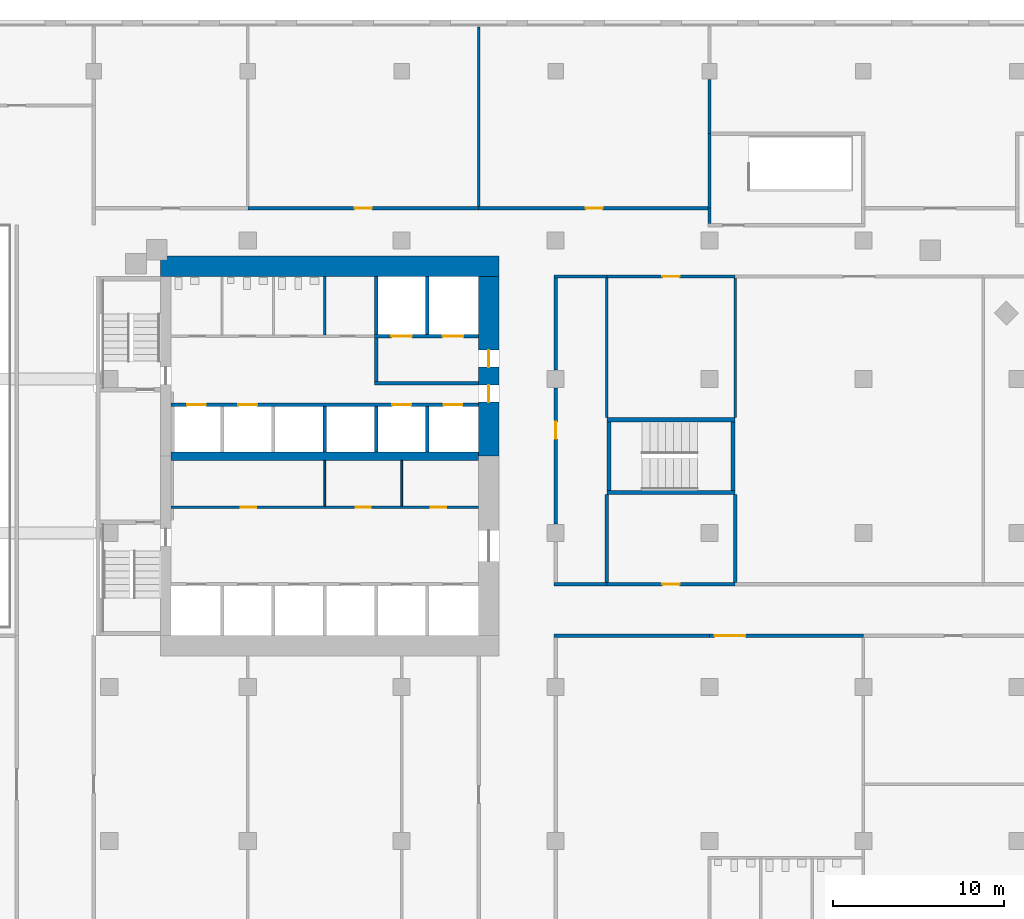
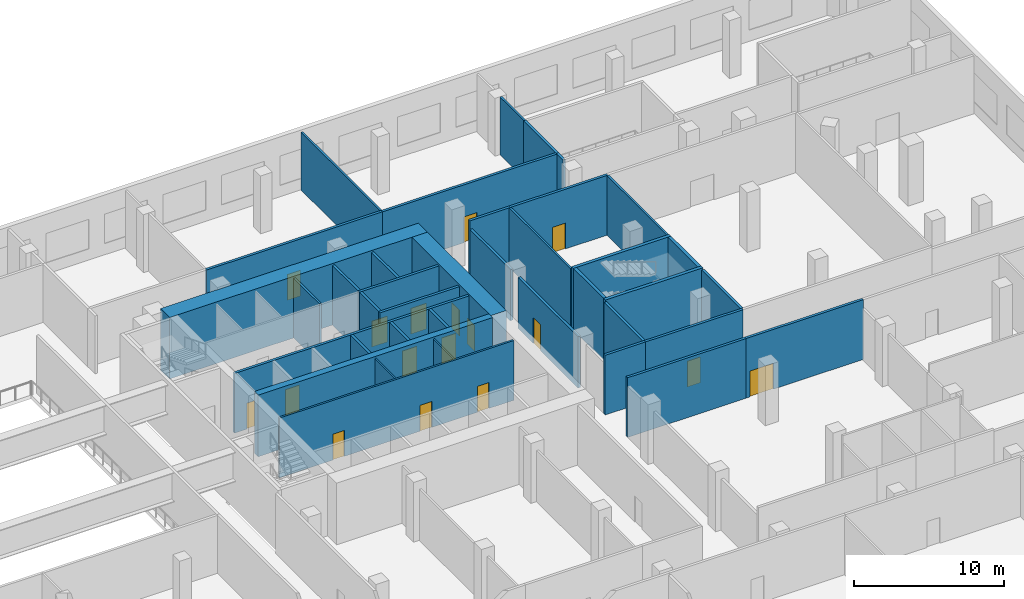
# One storey, part 11 of 20: 38 walls, 17 doors, 17 openings.
"""IFC4 building model written with IfcOpenShell, lengths in metres."""

import ifcopenshell
import ifcopenshell.guid

model = None  # the IFC model being written
_history = None  # IfcOwnerHistory: only IFC2X3 demands one
_inside = {}  # id of a spatial element -> (the spatial element, [elements in it])
_under = {}  # id of a project, library or spatial element -> (it, [spatial elements below it])
_declared = {}  # id of a project -> (the project, [libraries it declares])
_typed = {}  # id of a type object -> (the type object, [elements of that type])
_made_of = {}  # id of a material, layer set ... -> (it, [elements and type objects made of it])


def new_model(schema):
    """Start an empty IFC model of exactly this schema.

    Asked for "IFC4X3", IfcOpenShell would pick the latest addendum, in which some entities
    have other attributes; the version numbers below select the first issue.
    IFC2X3 requires an IfcOwnerHistory on every rooted entity: one is made here for all.
    """
    global model, _history
    if schema == "IFC4X3":
        model = ifcopenshell.file(schema_version=(4, 3, 0, 0))
    else:
        model = ifcopenshell.file(schema=schema)
    _inside.clear()
    _under.clear()
    _declared.clear()
    _typed.clear()
    _made_of.clear()
    _history = None
    if model.schema == "IFC2X3":
        org = make("IfcOrganization", Name="unknown")
        user = make(
            "IfcPersonAndOrganization",
            ThePerson=make("IfcPerson", FamilyName="unknown"),
            TheOrganization=org,
        )
        app = make(
            "IfcApplication",
            ApplicationDeveloper=org,
            Version="unknown",
            ApplicationFullName="unknown",
            ApplicationIdentifier="unknown",
        )
        _history = make(
            "IfcOwnerHistory",
            OwningUser=user,
            OwningApplication=app,
            ChangeAction="ADDED",
            CreationDate=0,
        )
    return model


def make(cls, **values):
    """One entity of the class cls with the attributes given. An attribute that is None is left unset."""
    return model.create_entity(
        cls, **{name: value for name, value in values.items() if value is not None}
    )


def rooted(cls, **values):
    """An entity with a GlobalId (a new one), such as an element, a storey or a relation."""
    return make(cls, GlobalId=ifcopenshell.guid.new(), OwnerHistory=_history, **values)


def si_unit(unit_type, name, prefix=None):
    """IfcSIUnit, for example si_unit("LENGTHUNIT", "METRE", prefix="MILLI")."""
    return make("IfcSIUnit", UnitType=unit_type, Prefix=prefix, Name=name)


def assignment(units):
    """IfcUnitAssignment: the units of a project."""
    return None if units is None else make("IfcUnitAssignment", Units=units)


def point(xyz):
    """IfcCartesianPoint."""
    return None if xyz is None else make("IfcCartesianPoint", Coordinates=xyz)


def direction(xyz):
    """IfcDirection."""
    return None if xyz is None else make("IfcDirection", DirectionRatios=xyz)


def frame(location, z_axis=None, x_axis=None):
    """IfcAxis2Placement3D, a coordinate frame: its origin and axes. An axis left out is left unset."""
    return make(
        "IfcAxis2Placement3D",
        Location=point(location),
        Axis=direction(z_axis),
        RefDirection=direction(x_axis),
    )


def frame_2d(location, x_axis=None):
    """IfcAxis2Placement2D, a coordinate frame in the plane: its origin and x axis."""
    return make(
        "IfcAxis2Placement2D", Location=point(location), RefDirection=direction(x_axis)
    )


def origin():
    """The frame at (0, 0, 0) with its axes left unset."""
    return frame((0.0, 0.0, 0.0))


def place(relative_to, where):
    """IfcLocalPlacement: puts the frame where relative to a parent placement (None: the world)."""
    return make(
        "IfcLocalPlacement", PlacementRelTo=relative_to, RelativePlacement=where
    )


def context(
    kind, dimensions, precision=None, world=None, true_north=None, identifier=None
):
    """IfcGeometricRepresentationContext, for example the 3D "Model" context."""
    return make(
        "IfcGeometricRepresentationContext",
        ContextIdentifier=identifier,
        ContextType=kind,
        CoordinateSpaceDimension=dimensions,
        Precision=precision,
        WorldCoordinateSystem=world,
        TrueNorth=true_north,
    )


def subcontext(parent, identifier, kind, view, scale=None):
    """IfcGeometricRepresentationSubContext, for example "Body" below "Model"."""
    return make(
        "IfcGeometricRepresentationSubContext",
        ContextIdentifier=identifier,
        ContextType=kind,
        ParentContext=parent,
        TargetScale=scale,
        TargetView=view,
    )


def project(units=None, contexts=None):
    """IfcProject with its units and contexts."""
    return rooted(
        "IfcProject",
        Name="project",
        RepresentationContexts=contexts,
        UnitsInContext=assignment(units),
    )


def spatial(cls, under=None, at=None, **own):
    """A site, building, storey or space (cls), placed at a placement, below another one or the project."""
    s = rooted(cls, ObjectPlacement=at, **own)
    if under is not None:
        _under.setdefault(under.id(), (under, []))[1].append(s)
    return s


def profile(cls, at=None, kind="AREA", **sizes):
    """A parametric profile (cls). Its sizes go by their IFC names, for example OverallWidth=200.0."""
    return make(cls, ProfileType=kind, Position=at, **sizes)


def rectangle(**sizes):
    """IfcRectangleProfileDef."""
    return profile("IfcRectangleProfileDef", **sizes)


def extrude(swept, where, along, depth):
    """IfcExtrudedAreaSolid: the profile swept, set in the frame where, extruded along a direction by depth."""
    return make(
        "IfcExtrudedAreaSolid",
        SweptArea=swept,
        Position=where,
        ExtrudedDirection=direction(along),
        Depth=depth,
    )


def shape(context_of_items, identifier, shape_type, items):
    """IfcShapeRepresentation: the items that make up one representation, for example the "Body"."""
    return make(
        "IfcShapeRepresentation",
        ContextOfItems=context_of_items,
        RepresentationIdentifier=identifier,
        RepresentationType=shape_type,
        Items=items,
    )


def material(Name=None, Category=None):
    """IfcMaterial."""
    return make("IfcMaterial", Name=Name, Category=Category)


def layer(
    of_material, thickness, ventilated=None, Name=None, Category=None, Priority=None
):
    """IfcMaterialLayer: one layer of a wall or slab, of a material (None: an air gap)."""
    return make(
        "IfcMaterialLayer",
        Material=of_material,
        LayerThickness=thickness,
        IsVentilated=ventilated,
        Name=Name,
        Category=Category,
        Priority=Priority,
    )


def layer_set(layers, Name=None):
    """IfcMaterialLayerSet."""
    return make("IfcMaterialLayerSet", MaterialLayers=layers, LayerSetName=Name)


def made_of(thing, what):
    """Note that an element or type object is made of a material, layer set ...; save() writes the relation."""
    if what is not None:
        _made_of.setdefault(what.id(), (what, []))[1].append(thing)
    return thing


def type_object(cls, material=None, **own):
    """A type object (cls), such as IfcWallType, which elements share."""
    return made_of(rooted(cls, **own), material)


def element(
    cls,
    number,
    at=None,
    inside=None,
    cuts=None,
    type_object=None,
    material=None,
    context=None,
    identifier="Body",
    shape_type=None,
    held_by="IfcProductDefinitionShape",
    body=None,
    shapes=None,
    **own,
):
    """One element of the class cls, such as IfcWall. Its Tag is "e" and its number.

    at: its placement. inside: the storey or other place that contains it. cuts: it is an
    opening in that element (IfcRelVoidsElement). A single representation is given by context,
    identifier, shape_type and body (its items); several are given by shapes. held_by: the class
    of the entity that holds the representations. save() writes the other relations.
    """
    e = rooted(cls, Tag="e%d" % number, ObjectPlacement=at, **own)
    if body is not None:
        shapes = [shape(context, identifier, shape_type, body)]
    if shapes is not None:
        e.Representation = make(held_by, Representations=shapes)
    if inside is not None:
        _inside.setdefault(inside.id(), (inside, []))[1].append(e)
    if cuts is not None:
        rooted(
            "IfcRelVoidsElement", RelatingBuildingElement=cuts, RelatedOpeningElement=e
        )
    if type_object is not None:
        _typed.setdefault(type_object.id(), (type_object, []))[1].append(e)
    return made_of(e, material)


def fill(opening, filler):
    """IfcRelFillsElement: the door or window that sits in an opening."""
    return rooted(
        "IfcRelFillsElement",
        RelatingOpeningElement=opening,
        RelatedBuildingElement=filler,
    )


def aggregate(whole, parts):
    """IfcRelAggregates: a whole, such as a stair, and the parts it consists of."""
    return rooted("IfcRelAggregates", RelatingObject=whole, RelatedObjects=parts)


def save(model, path):
    """Write the relations noted so far, then the file.

    IfcRelAggregates (storeys below a building ...), IfcRelContainedInSpatialStructure (elements
    in a storey), IfcRelDefinesByType, IfcRelAssociatesMaterial and IfcRelDeclares: one each for
    every whole, place, type object, material and project.
    """
    for whole, parts in _under.values():
        aggregate(whole, parts)
    for where, things in _inside.values():
        rooted(
            "IfcRelContainedInSpatialStructure",
            RelatedElements=things,
            RelatingStructure=where,
        )
    for kind, things in _typed.values():
        rooted("IfcRelDefinesByType", RelatedObjects=things, RelatingType=kind)
    for what, things in _made_of.values():
        rooted("IfcRelAssociatesMaterial", RelatedObjects=things, RelatingMaterial=what)
    for by, libraries in _declared.values():
        rooted("IfcRelDeclares", RelatingContext=by, RelatedDefinitions=libraries)
    model.write(path)


model = new_model("IFC4")

# Units and contexts
model_context = context("Model", 3, precision=1e-05, world=origin(), true_north=direction((0.0, 1.0)))
body_context = subcontext(model_context, "Body", "Model", "MODEL_VIEW")
ifc_project = project(units=[si_unit("LENGTHUNIT", "METRE"), si_unit("AREAUNIT", "SQUARE_METRE"), si_unit("VOLUMEUNIT", "CUBIC_METRE"), si_unit("PLANEANGLEUNIT", "RADIAN"), si_unit("MASSUNIT", "GRAM", prefix="KILO")], contexts=[model_context])

# Site, building, storey
site_placement = place(None, origin())
site = spatial("IfcSite", under=ifc_project, at=site_placement, CompositionType="ELEMENT")
building_placement = place(site_placement, origin())
building = spatial("IfcBuilding", under=site, at=building_placement, Name="Cinnabar Reach Civic Tower", CompositionType="ELEMENT")
storey_placement = place(building_placement, frame((0.0, 0.0, 21.0)))
storey = spatial("IfcBuildingStorey", under=building, at=storey_placement, Name="L04", CompositionType="ELEMENT", Elevation=21.0)

# Wall
ifc_material_1 = material(Name="Concrete C70", Category="concrete")
ifc_layer_1 = layer(ifc_material_1, 1.2)
ifc_layer_set_1 = layer_set([ifc_layer_1], Name="Core wall 1200 EI 180")
wall_type_1 = type_object("IfcWallType", Name="Core wall 1200 EI 180", PredefinedType="SOLIDWALL", material=ifc_layer_set_1)
wall_1_placement = place(storey_placement, frame((23.7, 42.6, 0.0), z_axis=(0.0, 0.0, 1.0), x_axis=(-1.0, 0.0, 0.0)))
element("IfcWall", 1, at=wall_1_placement, inside=storey, type_object=wall_type_1, Name="Core wall T1 L04 N", PredefinedType="SOLIDWALL", context=body_context, shape_type="SweptSolid", body=[
    extrude(rectangle(XDim=19.8, YDim=1.2, at=frame_2d((9.9, 0.0))), origin(), (0.0, 0.0, 1.0), 5.0),
])

# Wall, openings, doors
wall_2_placement = place(storey_placement, frame((23.1, 31.5, 0.0), z_axis=(0.0, 0.0, 1.0), x_axis=(0.0, 1.0, 0.0)))
wall_2 = element("IfcWall", 2, at=wall_2_placement, inside=storey, type_object=wall_type_1, Name="Core wall T1 L04 E2", PredefinedType="SOLIDWALL", context=body_context, shape_type="SweptSolid", body=[
    extrude(rectangle(XDim=10.5, YDim=1.2, at=frame_2d((5.25, 0.0))), origin(), (0.0, 0.0, 1.0), 5.0),
])
opening_1_placement = place(wall_2_placement, frame((3.15, 0.0, 0.0)))
opening_1 = element("IfcOpeningElement", 3, at=opening_1_placement, cuts=wall_2, Name="Opening D3181", PredefinedType="OPENING", context=body_context, shape_type="SweptSolid", body=[
    extrude(rectangle(XDim=1.0, YDim=2.1, at=frame_2d((0.5, 1.05))), frame((0.0, 0.61, 0.0), z_axis=(0.0, -1.0, 0.0), x_axis=(1.0, 0.0, 0.0)), (0.0, 0.0, 1.0), 1.22),
])
opening_2_placement = place(wall_2_placement, frame((5.2, 0.0, 0.0)))
opening_2 = element("IfcOpeningElement", 4, at=opening_2_placement, cuts=wall_2, Name="Opening D3182", PredefinedType="OPENING", context=body_context, shape_type="SweptSolid", body=[
    extrude(rectangle(XDim=1.0, YDim=2.1, at=frame_2d((0.5, 1.05))), frame((0.0, 0.61, 0.0), z_axis=(0.0, -1.0, 0.0), x_axis=(1.0, 0.0, 0.0)), (0.0, 0.0, 1.0), 1.22),
])
ifc_material_2 = material(Name="Timber door leaf in steel frame", Category="steel")
door_type_1 = type_object("IfcDoorType", Name="Firefighting lobby door 1000 x 2100 T1", OperationType="SINGLE_SWING_LEFT", PredefinedType="DOOR", material=ifc_material_2)
door_1_placement = place(opening_2_placement, frame((1.0, 0.0, 0.0), z_axis=(0.0, 0.0, 1.0), x_axis=(-1.0, 0.0, 0.0)))
door_1 = element("IfcDoor", 5, at=door_1_placement, inside=storey, type_object=door_type_1, Name="Door D3182", OperationType="SINGLE_SWING_LEFT", OverallHeight=2.1, OverallWidth=1.0, PredefinedType="DOOR", context=body_context, shape_type="SweptSolid", body=[
    extrude(rectangle(XDim=1.0, YDim=2.1, at=frame_2d((0.5, 1.05))), frame((0.0, 0.025, 0.0), z_axis=(0.0, -1.0, 0.0), x_axis=(1.0, 0.0, 0.0)), (0.0, 0.0, 1.0), 0.05),
])
fill(opening_2, door_1)
door_type_2 = type_object("IfcDoorType", Name="Single swing door 1000 x 2100 T1", OperationType="SINGLE_SWING_LEFT", PredefinedType="DOOR", material=ifc_material_2)
door_2_placement = place(opening_1_placement, frame((1.0, 0.0, 0.0), z_axis=(0.0, 0.0, 1.0), x_axis=(-1.0, 0.0, 0.0)))
door_2 = element("IfcDoor", 6, at=door_2_placement, inside=storey, type_object=door_type_2, Name="Door D3181", OperationType="SINGLE_SWING_RIGHT", OverallHeight=2.1, OverallWidth=1.0, PredefinedType="DOOR", context=body_context, shape_type="SweptSolid", body=[
    extrude(rectangle(XDim=1.0, YDim=2.1, at=frame_2d((0.5, 1.05))), frame((0.0, 0.025, 0.0), z_axis=(0.0, -1.0, 0.0), x_axis=(1.0, 0.0, 0.0)), (0.0, 0.0, 1.0), 0.05),
])
fill(opening_1, door_2)

# Wall
ifc_material_3 = material(Name="Concrete C60", Category="concrete")
ifc_layer_2 = layer(ifc_material_3, 0.5)
ifc_layer_set_2 = layer_set([ifc_layer_2], Name="Core wall 500 EI 180")
wall_type_2 = type_object("IfcWallType", Name="Core wall 500 EI 180", PredefinedType="SOLIDWALL", material=ifc_layer_set_2)
wall_3_placement = place(storey_placement, frame((4.5, 31.5, 0.0), z_axis=(0.0, 0.0, 1.0), x_axis=(1.0, 0.0, 0.0)))
element("IfcWall", 7, at=wall_3_placement, inside=storey, type_object=wall_type_2, Name="Core spine wall T1 L04", PredefinedType="SOLIDWALL", context=body_context, shape_type="SweptSolid", body=[
    extrude(rectangle(XDim=18.0, YDim=0.5, at=frame_2d((9.0, 0.0))), origin(), (0.0, 0.0, 1.0), 5.0),
])

# Wall, openings, doors
ifc_material_4 = material(Name="Gypsum board on steel studs, double layer", Category="steel")
ifc_layer_3 = layer(ifc_material_4, 0.15)
ifc_layer_set_3 = layer_set([ifc_layer_3], Name="Corridor wall 150 T1")
wall_type_3 = type_object("IfcWallType", Name="Corridor wall 150 T1", PredefinedType="PARTITIONING", material=ifc_layer_set_3)
wall_4_placement = place(storey_placement, frame((4.5, 28.5, 0.0), z_axis=(0.0, 0.0, 1.0), x_axis=(1.0, 0.0, 0.0)))
wall_4 = element("IfcWall", 8, at=wall_4_placement, inside=storey, type_object=wall_type_3, Name="Corridor wall 19", PredefinedType="PARTITIONING", context=body_context, shape_type="SweptSolid", body=[
    extrude(rectangle(XDim=18.0, YDim=0.15, at=frame_2d((9.0, 0.0))), origin(), (0.0, 0.0, 1.0), 4.85),
])
opening_3_placement = place(wall_4_placement, frame((4.1, 0.0, 0.0)))
opening_3 = element("IfcOpeningElement", 9, at=opening_3_placement, cuts=wall_4, Name="Opening D3183", PredefinedType="OPENING", context=body_context, shape_type="SweptSolid", body=[
    extrude(rectangle(XDim=0.9, YDim=2.1, at=frame_2d((0.45, 1.05))), frame((0.0, 0.085, 0.0), z_axis=(0.0, -1.0, 0.0), x_axis=(1.0, 0.0, 0.0)), (0.0, 0.0, 1.0), 0.17),
])
opening_4_placement = place(wall_4_placement, frame((10.8, 0.0, 0.0)))
opening_4 = element("IfcOpeningElement", 10, at=opening_4_placement, cuts=wall_4, Name="Opening D3184", PredefinedType="OPENING", context=body_context, shape_type="SweptSolid", body=[
    extrude(rectangle(XDim=0.9, YDim=2.1, at=frame_2d((0.45, 1.05))), frame((0.0, 0.085, 0.0), z_axis=(0.0, -1.0, 0.0), x_axis=(1.0, 0.0, 0.0)), (0.0, 0.0, 1.0), 0.17),
])
opening_5_placement = place(wall_4_placement, frame((15.2, 0.0, 0.0)))
opening_5 = element("IfcOpeningElement", 11, at=opening_5_placement, cuts=wall_4, Name="Opening D3185", PredefinedType="OPENING", context=body_context, shape_type="SweptSolid", body=[
    extrude(rectangle(XDim=0.9, YDim=2.1, at=frame_2d((0.45, 1.05))), frame((0.0, 0.085, 0.0), z_axis=(0.0, -1.0, 0.0), x_axis=(1.0, 0.0, 0.0)), (0.0, 0.0, 1.0), 0.17),
])
door_type_3 = type_object("IfcDoorType", Name="Single swing door 900 x 2100 corridor T1", OperationType="SINGLE_SWING_LEFT", PredefinedType="DOOR", material=ifc_material_2)
door_3_placement = place(opening_3_placement, origin())
door_3 = element("IfcDoor", 12, at=door_3_placement, inside=storey, type_object=door_type_3, Name="Door D3183", OperationType="SINGLE_SWING_LEFT", OverallHeight=2.1, OverallWidth=0.9, PredefinedType="DOOR", context=body_context, shape_type="SweptSolid", body=[
    extrude(rectangle(XDim=0.9, YDim=2.1, at=frame_2d((0.45, 1.05))), frame((0.0, 0.025, 0.0), z_axis=(0.0, -1.0, 0.0), x_axis=(1.0, 0.0, 0.0)), (0.0, 0.0, 1.0), 0.05),
])
fill(opening_3, door_3)
door_4_placement = place(opening_4_placement, origin())
door_4 = element("IfcDoor", 13, at=door_4_placement, inside=storey, type_object=door_type_3, Name="Door D3184", OperationType="SINGLE_SWING_RIGHT", OverallHeight=2.1, OverallWidth=0.9, PredefinedType="DOOR", context=body_context, shape_type="SweptSolid", body=[
    extrude(rectangle(XDim=0.9, YDim=2.1, at=frame_2d((0.45, 1.05))), frame((0.0, 0.025, 0.0), z_axis=(0.0, -1.0, 0.0), x_axis=(1.0, 0.0, 0.0)), (0.0, 0.0, 1.0), 0.05),
])
fill(opening_4, door_4)
door_5_placement = place(opening_5_placement, origin())
door_5 = element("IfcDoor", 14, at=door_5_placement, inside=storey, type_object=door_type_3, Name="Door D3185", OperationType="SINGLE_SWING_RIGHT", OverallHeight=2.1, OverallWidth=0.9, PredefinedType="DOOR", context=body_context, shape_type="SweptSolid", body=[
    extrude(rectangle(XDim=0.9, YDim=2.1, at=frame_2d((0.45, 1.05))), frame((0.0, 0.025, 0.0), z_axis=(0.0, -1.0, 0.0), x_axis=(1.0, 0.0, 0.0)), (0.0, 0.0, 1.0), 0.05),
])
fill(opening_5, door_5)

ifc_material_5 = material(Name="Blockwork", Category="masonry")
ifc_layer_4 = layer(ifc_material_5, 0.2)
ifc_layer_set_4 = layer_set([ifc_layer_4], Name="Lift shaft wall 200 T1")
wall_type_4 = type_object("IfcWallType", Name="Lift shaft wall 200 T1", PredefinedType="PARTITIONING", material=ifc_layer_set_4)
wall_5_placement = place(storey_placement, frame((4.5, 34.5, 0.0), z_axis=(0.0, 0.0, 1.0), x_axis=(1.0, 0.0, 0.0)))
wall_5 = element("IfcWall", 15, at=wall_5_placement, inside=storey, type_object=wall_type_4, Name="Lift shaft wall 5", PredefinedType="PARTITIONING", context=body_context, shape_type="SweptSolid", body=[
    extrude(rectangle(XDim=18.0, YDim=0.2, at=frame_2d((9.0, 0.0))), origin(), (0.0, 0.0, 1.0), 4.85),
])
opening_6_placement = place(wall_5_placement, frame((0.95, 0.0, 0.0)))
opening_6 = element("IfcOpeningElement", 16, at=opening_6_placement, cuts=wall_5, Name="Opening D3174", PredefinedType="OPENING", context=body_context, shape_type="SweptSolid", body=[
    extrude(rectangle(XDim=1.1, YDim=2.1, at=frame_2d((0.55, 1.05))), frame((0.0, 0.11, 0.0), z_axis=(0.0, -1.0, 0.0), x_axis=(1.0, 0.0, 0.0)), (0.0, 0.0, 1.0), 0.22),
])
opening_7_placement = place(wall_5_placement, frame((3.95, 0.0, 0.0)))
opening_7 = element("IfcOpeningElement", 17, at=opening_7_placement, cuts=wall_5, Name="Opening D3175", PredefinedType="OPENING", context=body_context, shape_type="SweptSolid", body=[
    extrude(rectangle(XDim=1.1, YDim=2.1, at=frame_2d((0.55, 1.05))), frame((0.0, 0.11, 0.0), z_axis=(0.0, -1.0, 0.0), x_axis=(1.0, 0.0, 0.0)), (0.0, 0.0, 1.0), 0.22),
])
opening_8_placement = place(wall_5_placement, frame((12.95, 0.0, 0.0)))
opening_8 = element("IfcOpeningElement", 18, at=opening_8_placement, cuts=wall_5, Name="Opening D3176", PredefinedType="OPENING", context=body_context, shape_type="SweptSolid", body=[
    extrude(rectangle(XDim=1.1, YDim=2.1, at=frame_2d((0.55, 1.05))), frame((0.0, 0.11, 0.0), z_axis=(0.0, -1.0, 0.0), x_axis=(1.0, 0.0, 0.0)), (0.0, 0.0, 1.0), 0.22),
])
opening_9_placement = place(wall_5_placement, frame((15.95, 0.0, 0.0)))
opening_9 = element("IfcOpeningElement", 19, at=opening_9_placement, cuts=wall_5, Name="Opening D3177", PredefinedType="OPENING", context=body_context, shape_type="SweptSolid", body=[
    extrude(rectangle(XDim=1.1, YDim=2.1, at=frame_2d((0.55, 1.05))), frame((0.0, 0.11, 0.0), z_axis=(0.0, -1.0, 0.0), x_axis=(1.0, 0.0, 0.0)), (0.0, 0.0, 1.0), 0.22),
])
ifc_material_6 = material(Name="Stainless steel sliding door", Category="steel")
door_type_4 = type_object("IfcDoorType", Name="Lift landing door 1100 x 2100 T1", OperationType="SLIDING_TO_LEFT", PredefinedType="DOOR", material=ifc_material_6)
door_6_placement = place(opening_6_placement, origin())
door_6 = element("IfcDoor", 20, at=door_6_placement, inside=storey, type_object=door_type_4, Name="Lift landing door SH1 L04", OperationType="SLIDING_TO_LEFT", OverallHeight=2.1, OverallWidth=1.1, PredefinedType="DOOR", context=body_context, shape_type="SweptSolid", body=[
    extrude(rectangle(XDim=1.1, YDim=2.1, at=frame_2d((0.55, 1.05))), frame((0.0, 0.025, 0.0), z_axis=(0.0, -1.0, 0.0), x_axis=(1.0, 0.0, 0.0)), (0.0, 0.0, 1.0), 0.05),
])
fill(opening_6, door_6)
door_7_placement = place(opening_7_placement, origin())
door_7 = element("IfcDoor", 21, at=door_7_placement, inside=storey, type_object=door_type_4, Name="Lift landing door SH2 L04", OperationType="SLIDING_TO_LEFT", OverallHeight=2.1, OverallWidth=1.1, PredefinedType="DOOR", context=body_context, shape_type="SweptSolid", body=[
    extrude(rectangle(XDim=1.1, YDim=2.1, at=frame_2d((0.55, 1.05))), frame((0.0, 0.025, 0.0), z_axis=(0.0, -1.0, 0.0), x_axis=(1.0, 0.0, 0.0)), (0.0, 0.0, 1.0), 0.05),
])
fill(opening_7, door_7)
door_8_placement = place(opening_8_placement, origin())
door_8 = element("IfcDoor", 22, at=door_8_placement, inside=storey, type_object=door_type_4, Name="Lift landing door SV1 L04", OperationType="SLIDING_TO_LEFT", OverallHeight=2.1, OverallWidth=1.1, PredefinedType="DOOR", context=body_context, shape_type="SweptSolid", body=[
    extrude(rectangle(XDim=1.1, YDim=2.1, at=frame_2d((0.55, 1.05))), frame((0.0, 0.025, 0.0), z_axis=(0.0, -1.0, 0.0), x_axis=(1.0, 0.0, 0.0)), (0.0, 0.0, 1.0), 0.05),
])
fill(opening_8, door_8)
door_9_placement = place(opening_9_placement, origin())
door_9 = element("IfcDoor", 23, at=door_9_placement, inside=storey, type_object=door_type_4, Name="Lift landing door SV2 L04", OperationType="SLIDING_TO_LEFT", OverallHeight=2.1, OverallWidth=1.1, PredefinedType="DOOR", context=body_context, shape_type="SweptSolid", body=[
    extrude(rectangle(XDim=1.1, YDim=2.1, at=frame_2d((0.55, 1.05))), frame((0.0, 0.025, 0.0), z_axis=(0.0, -1.0, 0.0), x_axis=(1.0, 0.0, 0.0)), (0.0, 0.0, 1.0), 0.05),
])
fill(opening_9, door_9)

# Walls
for number, where, z_axis, x_axis, name in (
    (24, (16.5, 38.6, 0.0), (0.0, 0.0, 1.0), (0.0, 1.0, 0.0), "Lift shaft wall 6"),
    (25, (19.5, 38.6, 0.0), (0.0, 0.0, 1.0), (0.0, 1.0, 0.0), "Lift shaft wall 7"),
):
    element("IfcWall", number, at=place(storey_placement, frame(where, z_axis=z_axis, x_axis=x_axis)), inside=storey, type_object=wall_type_4, Name=name, PredefinedType="PARTITIONING", context=body_context, shape_type="SweptSolid", body=[
        extrude(rectangle(XDim=3.4, YDim=0.2, at=frame_2d((1.7, 0.0))), origin(), (0.0, 0.0, 1.0), 4.85),
    ])
for number, where, z_axis, x_axis, name in (
    (26, (13.5, 31.75, 0.0), (0.0, 0.0, 1.0), (0.0, 1.0, 0.0), "Lift shaft wall 14"),
    (27, (16.5, 31.75, 0.0), (0.0, 0.0, 1.0), (0.0, 1.0, 0.0), "Lift shaft wall 16"),
    (28, (19.5, 31.75, 0.0), (0.0, 0.0, 1.0), (0.0, 1.0, 0.0), "Lift shaft wall 18"),
):
    element("IfcWall", number, at=place(storey_placement, frame(where, z_axis=z_axis, x_axis=x_axis)), inside=storey, type_object=wall_type_4, Name=name, PredefinedType="PARTITIONING", context=body_context, shape_type="SweptSolid", body=[
        extrude(rectangle(XDim=2.65, YDim=0.2, at=frame_2d((1.325, 0.0))), origin(), (0.0, 0.0, 1.0), 4.85),
    ])
ifc_material_7 = material(Name="Gypsum board on steel studs", Category="steel")
ifc_layer_5 = layer(ifc_material_7, 0.1)
ifc_layer_set_5 = layer_set([ifc_layer_5], Name="Partition wall 100 T1")
wall_type_5 = type_object("IfcWallType", Name="Partition wall 100 T1", PredefinedType="PARTITIONING", material=ifc_layer_set_5)
for number, where, z_axis, x_axis, name in (
    (29, (13.5, 28.575, 0.0), (0.0, 0.0, 1.0), (0.0, 1.0, 0.0), "Partition wall 27"),
    (30, (18.0, 28.575, 0.0), (0.0, 0.0, 1.0), (0.0, 1.0, 0.0), "Partition wall 28"),
):
    element("IfcWall", number, at=place(storey_placement, frame(where, z_axis=z_axis, x_axis=x_axis)), inside=storey, type_object=wall_type_5, Name=name, PredefinedType="PARTITIONING", context=body_context, shape_type="SweptSolid", body=[
        extrude(rectangle(XDim=2.675, YDim=0.1, at=frame_2d((1.3375, 0.0))), origin(), (0.0, 0.0, 1.0), 4.85),
    ])
ifc_material_8 = material(Name="Concrete blockwork", Category="masonry")
ifc_layer_6 = layer(ifc_material_8, 0.2)
ifc_layer_set_6 = layer_set([ifc_layer_6], Name="Podium masonry corridor wall 200 EI 120")
wall_type_6 = type_object("IfcWallType", Name="Podium masonry corridor wall 200 EI 120", PredefinedType="PARTITIONING", material=ifc_layer_set_6)
wall_6_placement = place(storey_placement, frame((26.9, 42.0, 0.0), z_axis=(0.0, 0.0, 1.0), x_axis=(1.0, 0.0, 0.0)))
element("IfcWall", 31, at=wall_6_placement, inside=storey, type_object=wall_type_6, Name="Wall L04 95", PredefinedType="PARTITIONING", context=body_context, shape_type="SweptSolid", body=[
    extrude(rectangle(XDim=3.1, YDim=0.2, at=frame_2d((1.55, 0.0))), origin(), (0.0, 0.0, 1.0), 4.85),
])

# Wall, opening, door
wall_7_placement = place(storey_placement, frame((30.0, 42.0, 0.0), z_axis=(0.0, 0.0, 1.0), x_axis=(1.0, 0.0, 0.0)))
wall_7 = element("IfcWall", 32, at=wall_7_placement, inside=storey, type_object=wall_type_6, Name="Wall L04 96", PredefinedType="PARTITIONING", context=body_context, shape_type="SweptSolid", body=[
    extrude(rectangle(XDim=7.5, YDim=0.2, at=frame_2d((3.75, 0.0))), origin(), (0.0, 0.0, 1.0), 4.85),
])
opening_10_placement = place(wall_7_placement, frame((3.25, 0.0, 0.0)))
opening_10 = element("IfcOpeningElement", 33, at=opening_10_placement, cuts=wall_7, Name="Opening D1249", PredefinedType="OPENING", context=body_context, shape_type="SweptSolid", body=[
    extrude(rectangle(XDim=1.0, YDim=2.1, at=frame_2d((0.5, 1.05))), frame((0.0, 0.11, 0.0), z_axis=(0.0, -1.0, 0.0), x_axis=(1.0, 0.0, 0.0)), (0.0, 0.0, 1.0), 0.22),
])
ifc_material_9 = material(Name="Painted steel door leaf", Category="steel")
door_type_5 = type_object("IfcDoorType", Name="Podium single door 1000x2100", OperationType="SINGLE_SWING_LEFT", PredefinedType="DOOR", material=ifc_material_9)
door_10_placement = place(opening_10_placement, frame((1.0, 0.0, 0.0), z_axis=(0.0, 0.0, 1.0), x_axis=(-1.0, 0.0, 0.0)))
door_10 = element("IfcDoor", 34, at=door_10_placement, inside=storey, type_object=door_type_5, Name="Door D1249", OperationType="SINGLE_SWING_LEFT", OverallHeight=2.1, OverallWidth=1.0, PredefinedType="DOOR", context=body_context, shape_type="SweptSolid", body=[
    extrude(rectangle(XDim=1.0, YDim=2.1, at=frame_2d((0.5, 1.05))), frame((0.0, 0.025, 0.0), z_axis=(0.0, -1.0, 0.0), x_axis=(1.0, 0.0, 0.0)), (0.0, 0.0, 1.0), 0.05),
])
fill(opening_10, door_10)

wall_8_placement = place(storey_placement, frame((9.0, 46.0, 0.0), z_axis=(0.0, 0.0, 1.0), x_axis=(1.0, 0.0, 0.0)))
wall_8 = element("IfcWall", 35, at=wall_8_placement, inside=storey, type_object=wall_type_6, Name="Wall L04 99", PredefinedType="PARTITIONING", context=body_context, shape_type="SweptSolid", body=[
    extrude(rectangle(XDim=13.5, YDim=0.2, at=frame_2d((6.75, 0.0))), origin(), (0.0, 0.0, 1.0), 4.7),
])
opening_11_placement = place(wall_8_placement, frame((6.25, 0.0, 0.0)))
opening_11 = element("IfcOpeningElement", 36, at=opening_11_placement, cuts=wall_8, Name="Opening D1271", PredefinedType="OPENING", context=body_context, shape_type="SweptSolid", body=[
    extrude(rectangle(XDim=1.0, YDim=2.1, at=frame_2d((0.5, 1.05))), frame((0.0, 0.11, 0.0), z_axis=(0.0, -1.0, 0.0), x_axis=(1.0, 0.0, 0.0)), (0.0, 0.0, 1.0), 0.22),
])
door_11_placement = place(opening_11_placement, origin())
door_11 = element("IfcDoor", 37, at=door_11_placement, inside=storey, type_object=door_type_5, Name="Door D1271", OperationType="SINGLE_SWING_LEFT", OverallHeight=2.1, OverallWidth=1.0, PredefinedType="DOOR", context=body_context, shape_type="SweptSolid", body=[
    extrude(rectangle(XDim=1.0, YDim=2.1, at=frame_2d((0.5, 1.05))), frame((0.0, 0.025, 0.0), z_axis=(0.0, -1.0, 0.0), x_axis=(1.0, 0.0, 0.0)), (0.0, 0.0, 1.0), 0.05),
])
fill(opening_11, door_11)

wall_9_placement = place(storey_placement, frame((22.5, 46.0, 0.0), z_axis=(0.0, 0.0, 1.0), x_axis=(1.0, 0.0, 0.0)))
wall_9 = element("IfcWall", 38, at=wall_9_placement, inside=storey, type_object=wall_type_6, Name="Wall L04 100", PredefinedType="PARTITIONING", context=body_context, shape_type="SweptSolid", body=[
    extrude(rectangle(XDim=13.4, YDim=0.2, at=frame_2d((6.7, 0.0))), origin(), (0.0, 0.0, 1.0), 4.7),
])
opening_12_placement = place(wall_9_placement, frame((6.25, 0.0, 0.0)))
opening_12 = element("IfcOpeningElement", 39, at=opening_12_placement, cuts=wall_9, Name="Opening D1272", PredefinedType="OPENING", context=body_context, shape_type="SweptSolid", body=[
    extrude(rectangle(XDim=1.0, YDim=2.1, at=frame_2d((0.5, 1.05))), frame((0.0, 0.11, 0.0), z_axis=(0.0, -1.0, 0.0), x_axis=(1.0, 0.0, 0.0)), (0.0, 0.0, 1.0), 0.22),
])
door_12_placement = place(opening_12_placement, origin())
door_12 = element("IfcDoor", 40, at=door_12_placement, inside=storey, type_object=door_type_5, Name="Door D1272", OperationType="SINGLE_SWING_LEFT", OverallHeight=2.1, OverallWidth=1.0, PredefinedType="DOOR", context=body_context, shape_type="SweptSolid", body=[
    extrude(rectangle(XDim=1.0, YDim=2.1, at=frame_2d((0.5, 1.05))), frame((0.0, 0.025, 0.0), z_axis=(0.0, -1.0, 0.0), x_axis=(1.0, 0.0, 0.0)), (0.0, 0.0, 1.0), 0.05),
])
fill(opening_12, door_12)

wall_10_placement = place(storey_placement, frame((27.0, 27.52, 0.0), z_axis=(0.0, 0.0, 1.0), x_axis=(0.0, 1.0, 0.0)))
wall_10 = element("IfcWall", 41, at=wall_10_placement, inside=storey, type_object=wall_type_6, Name="Wall L04 108", PredefinedType="PARTITIONING", context=body_context, shape_type="SweptSolid", body=[
    extrude(rectangle(XDim=7.96, YDim=0.2, at=frame_2d((3.98, 0.0))), origin(), (0.0, 0.0, 1.0), 4.158),
])
opening_13_placement = place(wall_10_placement, frame((4.98, 0.0, 0.0)))
opening_13 = element("IfcOpeningElement", 42, at=opening_13_placement, cuts=wall_10, Name="Opening D1247", PredefinedType="OPENING", context=body_context, shape_type="SweptSolid", body=[
    extrude(rectangle(XDim=1.0, YDim=2.1, at=frame_2d((0.5, 1.05))), frame((0.0, 0.11, 0.0), z_axis=(0.0, -1.0, 0.0), x_axis=(1.0, 0.0, 0.0)), (0.0, 0.0, 1.0), 0.22),
])
door_13_placement = place(opening_13_placement, frame((1.0, 0.0, 0.0), z_axis=(0.0, 0.0, 1.0), x_axis=(-1.0, 0.0, 0.0)))
door_13 = element("IfcDoor", 43, at=door_13_placement, inside=storey, type_object=door_type_5, Name="Door D1247", OperationType="SINGLE_SWING_RIGHT", OverallHeight=2.1, OverallWidth=1.0, PredefinedType="DOOR", context=body_context, shape_type="SweptSolid", body=[
    extrude(rectangle(XDim=1.0, YDim=2.1, at=frame_2d((0.5, 1.05))), frame((0.0, 0.025, 0.0), z_axis=(0.0, -1.0, 0.0), x_axis=(1.0, 0.0, 0.0)), (0.0, 0.0, 1.0), 0.05),
])
fill(opening_13, door_13)

# Wall
wall_11_placement = place(storey_placement, frame((27.0, 36.52, 0.0), z_axis=(0.0, 0.0, 1.0), x_axis=(0.0, 1.0, 0.0)))
element("IfcWall", 44, at=wall_11_placement, inside=storey, type_object=wall_type_6, Name="Wall L04 109", PredefinedType="PARTITIONING", context=body_context, shape_type="SweptSolid", body=[
    extrude(rectangle(XDim=5.38, YDim=0.2, at=frame_2d((2.69, 0.0))), origin(), (0.0, 0.0, 1.0), 4.158),
])

# Wall, opening, door
wall_12_placement = place(storey_placement, frame((36.0, 21.0, 0.0), z_axis=(0.0, 0.0, 1.0), x_axis=(1.0, 0.0, 0.0)))
wall_12 = element("IfcWall", 45, at=wall_12_placement, inside=storey, type_object=wall_type_6, Name="Wall L04 110", PredefinedType="PARTITIONING", context=body_context, shape_type="SweptSolid", body=[
    extrude(rectangle(XDim=9.0, YDim=0.2, at=frame_2d((4.5, 0.0))), origin(), (0.0, 0.0, 1.0), 4.85),
])
opening_14_placement = place(wall_12_placement, frame((0.3, 0.0, 0.0)))
opening_14 = element("IfcOpeningElement", 46, at=opening_14_placement, cuts=wall_12, Name="Opening D1240", PredefinedType="OPENING", context=body_context, shape_type="SweptSolid", body=[
    extrude(rectangle(XDim=1.8, YDim=2.1, at=frame_2d((0.9, 1.05))), frame((0.0, 0.11, 0.0), z_axis=(0.0, -1.0, 0.0), x_axis=(1.0, 0.0, 0.0)), (0.0, 0.0, 1.0), 0.22),
])
door_type_6 = type_object("IfcDoorType", Name="Podium double door 1800x2100", OperationType="DOUBLE_DOOR_SINGLE_SWING", PredefinedType="DOOR", material=ifc_material_9)
door_14_placement = place(opening_14_placement, frame((1.8, 0.0, 0.0), z_axis=(0.0, 0.0, 1.0), x_axis=(-1.0, 0.0, 0.0)))
door_14 = element("IfcDoor", 47, at=door_14_placement, inside=storey, type_object=door_type_6, Name="Door D1240", OperationType="DOUBLE_DOOR_SINGLE_SWING", OverallHeight=2.1, OverallWidth=1.8, PredefinedType="DOOR", context=body_context, shape_type="SweptSolid", body=[
    extrude(rectangle(XDim=1.8, YDim=2.1, at=frame_2d((0.9, 1.05))), frame((0.0, 0.025, 0.0), z_axis=(0.0, -1.0, 0.0), x_axis=(1.0, 0.0, 0.0)), (0.0, 0.0, 1.0), 0.05),
])
fill(opening_14, door_14)

# Walls
wall_13_placement = place(storey_placement, frame((26.9, 21.0, 0.0), z_axis=(0.0, 0.0, 1.0), x_axis=(1.0, 0.0, 0.0)))
element("IfcWall", 48, at=wall_13_placement, inside=storey, type_object=wall_type_6, Name="Wall L04 111", PredefinedType="PARTITIONING", context=body_context, shape_type="SweptSolid", body=[
    extrude(rectangle(XDim=9.1, YDim=0.2, at=frame_2d((4.55, 0.0))), origin(), (0.0, 0.0, 1.0), 4.85),
])
wall_14_placement = place(storey_placement, frame((26.9, 24.0, 0.0), z_axis=(0.0, 0.0, 1.0), x_axis=(1.0, 0.0, 0.0)))
element("IfcWall", 49, at=wall_14_placement, inside=storey, type_object=wall_type_6, Name="Wall L04 112", PredefinedType="PARTITIONING", context=body_context, shape_type="SweptSolid", body=[
    extrude(rectangle(XDim=3.1, YDim=0.2, at=frame_2d((1.55, 0.0))), origin(), (0.0, 0.0, 1.0), 4.85),
])

# Wall, opening, door
wall_15_placement = place(storey_placement, frame((30.0, 24.0, 0.0), z_axis=(0.0, 0.0, 1.0), x_axis=(1.0, 0.0, 0.0)))
wall_15 = element("IfcWall", 50, at=wall_15_placement, inside=storey, type_object=wall_type_6, Name="Wall L04 113", PredefinedType="PARTITIONING", context=body_context, shape_type="SweptSolid", body=[
    extrude(rectangle(XDim=7.5, YDim=0.2, at=frame_2d((3.75, 0.0))), origin(), (0.0, 0.0, 1.0), 4.85),
])
opening_15_placement = place(wall_15_placement, frame((3.25, 0.0, 0.0)))
opening_15 = element("IfcOpeningElement", 51, at=opening_15_placement, cuts=wall_15, Name="Opening D1248", PredefinedType="OPENING", context=body_context, shape_type="SweptSolid", body=[
    extrude(rectangle(XDim=1.0, YDim=2.1, at=frame_2d((0.5, 1.05))), frame((0.0, 0.11, 0.0), z_axis=(0.0, -1.0, 0.0), x_axis=(1.0, 0.0, 0.0)), (0.0, 0.0, 1.0), 0.22),
])
door_15_placement = place(opening_15_placement, origin())
door_15 = element("IfcDoor", 52, at=door_15_placement, inside=storey, type_object=door_type_5, Name="Door D1248", OperationType="SINGLE_SWING_LEFT", OverallHeight=2.1, OverallWidth=1.0, PredefinedType="DOOR", context=body_context, shape_type="SweptSolid", body=[
    extrude(rectangle(XDim=1.0, YDim=2.1, at=frame_2d((0.5, 1.05))), frame((0.0, 0.025, 0.0), z_axis=(0.0, -1.0, 0.0), x_axis=(1.0, 0.0, 0.0)), (0.0, 0.0, 1.0), 0.05),
])
fill(opening_15, door_15)

# Walls
for number, where, z_axis, x_axis, name in (
    (53, (30.0, 24.1, 0.0), (0.0, 0.0, 1.0), (0.0, 1.0, 0.0), "Wall L04 186"),
    (54, (37.5, 24.1, 0.0), (0.0, 0.0, 1.0), (0.0, 1.0, 0.0), "Wall L04 188"),
):
    element("IfcWall", number, at=place(storey_placement, frame(where, z_axis=z_axis, x_axis=x_axis)), inside=storey, type_object=wall_type_6, Name=name, PredefinedType="PARTITIONING", context=body_context, shape_type="SweptSolid", body=[
        extrude(rectangle(XDim=5.15, YDim=0.2, at=frame_2d((2.575, 0.0))), origin(), (0.0, 0.0, 1.0), 4.85),
    ])
ifc_layer_7 = layer(ifc_material_7, 0.15)
ifc_layer_set_7 = layer_set([ifc_layer_7], Name="Podium partition wall 150 EI 90")
wall_type_7 = type_object("IfcWallType", Name="Podium partition wall 150 EI 90", PredefinedType="PARTITIONING", material=ifc_layer_set_7)
for number, where, z_axis, x_axis, name in (
    (55, (30.0, 33.75, 0.0), (0.0, 0.0, 1.0), (0.0, 1.0, 0.0), "Wall L04 187"),
    (56, (37.5, 33.75, 0.0), (0.0, 0.0, 1.0), (0.0, 1.0, 0.0), "Wall L04 189"),
):
    element("IfcWall", number, at=place(storey_placement, frame(where, z_axis=z_axis, x_axis=x_axis)), inside=storey, type_object=wall_type_7, Name=name, PredefinedType="PARTITIONING", context=body_context, shape_type="SweptSolid", body=[
        extrude(rectangle(XDim=8.15, YDim=0.15, at=frame_2d((4.075, 0.0))), origin(), (0.0, 0.0, 1.0), 4.85),
    ])
wall_16_placement = place(storey_placement, frame((36.0, 50.35, 0.0), z_axis=(0.0, 0.0, 1.0), x_axis=(0.0, 1.0, 0.0)))
element("IfcWall", 57, at=wall_16_placement, inside=storey, type_object=wall_type_7, Name="Wall L04 198", PredefinedType="PARTITIONING", context=body_context, shape_type="SweptSolid", body=[
    extrude(rectangle(XDim=3.18, YDim=0.15, at=frame_2d((1.59, 0.0))), origin(), (0.0, 0.0, 1.0), 4.7),
])
wall_17_placement = place(storey_placement, frame((22.5, 46.1, 0.0), z_axis=(0.0, 0.0, 1.0), x_axis=(0.0, 1.0, 0.0)))
element("IfcWall", 58, at=wall_17_placement, inside=storey, type_object=wall_type_7, Name="Wall L04 216", PredefinedType="PARTITIONING", context=body_context, shape_type="SweptSolid", body=[
    extrude(rectangle(XDim=10.5, YDim=0.15, at=frame_2d((5.25, 0.0))), origin(), (0.0, 0.0, 1.0), 4.7),
])
ifc_material_10 = material(Name="Concrete C40", Category="concrete")
ifc_layer_8 = layer(ifc_material_10, 0.2)
ifc_layer_set_8 = layer_set([ifc_layer_8], Name="Podium stair shaft wall 200 EI 120")
wall_type_8 = type_object("IfcWallType", Name="Podium stair shaft wall 200 EI 120", PredefinedType="SOLIDWALL", material=ifc_layer_set_8)
wall_18_placement = place(storey_placement, frame((36.0, 45.1, 0.0), z_axis=(0.0, 0.0, 1.0), x_axis=(0.0, 1.0, 0.0)))
element("IfcWall", 59, at=wall_18_placement, inside=storey, type_object=wall_type_8, Name="Wall L04 24", PredefinedType="SOLIDWALL", context=body_context, shape_type="SweptSolid", body=[
    extrude(rectangle(XDim=0.9, YDim=0.2, at=frame_2d((0.45, 0.0))), origin(), (0.0, 0.0, 1.0), 4.7),
])
wall_19_placement = place(storey_placement, frame((36.0, 46.0, 0.0), z_axis=(0.0, 0.0, 1.0), x_axis=(0.0, 1.0, 0.0)))
element("IfcWall", 60, at=wall_19_placement, inside=storey, type_object=wall_type_8, Name="Wall L04 27", PredefinedType="SOLIDWALL", context=body_context, shape_type="SweptSolid", body=[
    extrude(rectangle(XDim=4.35, YDim=0.2, at=frame_2d((2.175, 0.0))), origin(), (0.0, 0.0, 1.0), 4.7),
])
ifc_layer_9 = layer(ifc_material_10, 0.2)
ifc_layer_set_9 = layer_set([ifc_layer_9], Name="Refuge compartment wall 200 T1")
wall_type_9 = type_object("IfcWallType", Name="Refuge compartment wall 200 T1", PredefinedType="PARTITIONING", material=ifc_layer_set_9)
wall_20_placement = place(storey_placement, frame((16.4, 35.75, 0.0), z_axis=(0.0, 0.0, 1.0), x_axis=(1.0, 0.0, 0.0)))
element("IfcWall", 61, at=wall_20_placement, inside=storey, type_object=wall_type_9, Name="Refuge compartment wall 1", PredefinedType="PARTITIONING", context=body_context, shape_type="SweptSolid", body=[
    extrude(rectangle(XDim=6.1, YDim=0.2, at=frame_2d((3.05, 0.0))), origin(), (0.0, 0.0, 1.0), 4.85),
])

# Wall, openings, doors
wall_21_placement = place(storey_placement, frame((16.4, 38.5, 0.0), z_axis=(0.0, 0.0, 1.0), x_axis=(1.0, 0.0, 0.0)))
wall_21 = element("IfcWall", 62, at=wall_21_placement, inside=storey, type_object=wall_type_9, Name="Refuge compartment wall 2", PredefinedType="PARTITIONING", context=body_context, shape_type="SweptSolid", body=[
    extrude(rectangle(XDim=6.1, YDim=0.2, at=frame_2d((3.05, 0.0))), origin(), (0.0, 0.0, 1.0), 4.85),
])
opening_16_placement = place(wall_21_placement, frame((1.0, 0.0, 0.0)))
opening_16 = element("IfcOpeningElement", 63, at=opening_16_placement, cuts=wall_21, Name="Opening D3178", PredefinedType="OPENING", context=body_context, shape_type="SweptSolid", body=[
    extrude(rectangle(XDim=1.2, YDim=2.1, at=frame_2d((0.6, 1.05))), frame((0.0, 0.11, 0.0), z_axis=(0.0, -1.0, 0.0), x_axis=(1.0, 0.0, 0.0)), (0.0, 0.0, 1.0), 0.22),
])
opening_17_placement = place(wall_21_placement, frame((4.0, 0.0, 0.0)))
opening_17 = element("IfcOpeningElement", 64, at=opening_17_placement, cuts=wall_21, Name="Opening D3179", PredefinedType="OPENING", context=body_context, shape_type="SweptSolid", body=[
    extrude(rectangle(XDim=1.2, YDim=2.1, at=frame_2d((0.6, 1.05))), frame((0.0, 0.11, 0.0), z_axis=(0.0, -1.0, 0.0), x_axis=(1.0, 0.0, 0.0)), (0.0, 0.0, 1.0), 0.22),
])
door_type_7 = type_object("IfcDoorType", Name="Firefighting lift landing door 1200 x 2100 T1", OperationType="SLIDING_TO_LEFT", PredefinedType="DOOR", material=ifc_material_6)
door_16_placement = place(opening_16_placement, origin())
door_16 = element("IfcDoor", 65, at=door_16_placement, inside=storey, type_object=door_type_7, Name="Lift landing door FF1 L04", OperationType="SLIDING_TO_LEFT", OverallHeight=2.1, OverallWidth=1.2, PredefinedType="DOOR", context=body_context, shape_type="SweptSolid", body=[
    extrude(rectangle(XDim=1.2, YDim=2.1, at=frame_2d((0.6, 1.05))), frame((0.0, 0.025, 0.0), z_axis=(0.0, -1.0, 0.0), x_axis=(1.0, 0.0, 0.0)), (0.0, 0.0, 1.0), 0.05),
])
fill(opening_16, door_16)
door_17_placement = place(opening_17_placement, origin())
door_17 = element("IfcDoor", 66, at=door_17_placement, inside=storey, type_object=door_type_7, Name="Lift landing door FF2 L04", OperationType="SLIDING_TO_LEFT", OverallHeight=2.1, OverallWidth=1.2, PredefinedType="DOOR", context=body_context, shape_type="SweptSolid", body=[
    extrude(rectangle(XDim=1.2, YDim=2.1, at=frame_2d((0.6, 1.05))), frame((0.0, 0.025, 0.0), z_axis=(0.0, -1.0, 0.0), x_axis=(1.0, 0.0, 0.0)), (0.0, 0.0, 1.0), 0.05),
])
fill(opening_17, door_17)

# Walls
wall_22_placement = place(storey_placement, frame((16.5, 35.85, 0.0), z_axis=(0.0, 0.0, 1.0), x_axis=(0.0, 1.0, 0.0)))
element("IfcWall", 67, at=wall_22_placement, inside=storey, type_object=wall_type_9, Name="Refuge compartment wall 3", PredefinedType="PARTITIONING", context=body_context, shape_type="SweptSolid", body=[
    extrude(rectangle(XDim=2.55, YDim=0.2, at=frame_2d((1.275, 0.0))), origin(), (0.0, 0.0, 1.0), 4.85),
])
ifc_layer_10 = layer(ifc_material_5, 0.15)
ifc_layer_set_10 = layer_set([ifc_layer_10], Name="Riser wall 150 T1")
wall_type_10 = type_object("IfcWallType", Name="Riser wall 150 T1", PredefinedType="PARTITIONING", material=ifc_layer_set_10)
wall_23_placement = place(storey_placement, frame((13.5, 38.575, 0.0), z_axis=(0.0, 0.0, 1.0), x_axis=(0.0, 1.0, 0.0)))
element("IfcWall", 68, at=wall_23_placement, inside=storey, type_object=wall_type_10, Name="Riser wall 24", PredefinedType="PARTITIONING", context=body_context, shape_type="SweptSolid", body=[
    extrude(rectangle(XDim=3.425, YDim=0.15, at=frame_2d((1.7125, 0.0))), origin(), (0.0, 0.0, 1.0), 4.85),
])
ifc_layer_11 = layer(ifc_material_3, 0.25)
ifc_layer_set_11 = layer_set([ifc_layer_11], Name="Stair shaft wall 250 EI 120")
wall_type_11 = type_object("IfcWallType", Name="Stair shaft wall 250 EI 120", PredefinedType="SOLIDWALL", material=ifc_layer_set_11)
for number, where, z_axis, x_axis, name in (
    (69, (30.0, 29.375, 0.0), (0.0, 0.0, 1.0), (1.0, 0.0, 0.0), "Stair shaft wall T1-S3 L04"),
    (70, (37.5, 33.625, 0.0), (0.0, 0.0, 1.0), (-1.0, 0.0, 0.0), "Stair shaft wall T1-S3 L04"),
):
    element("IfcWall", number, at=place(storey_placement, frame(where, z_axis=z_axis, x_axis=x_axis)), inside=storey, type_object=wall_type_11, Name=name, PredefinedType="SOLIDWALL", context=body_context, shape_type="SweptSolid", body=[
        extrude(rectangle(XDim=7.5, YDim=0.25, at=frame_2d((3.75, 0.0))), origin(), (0.0, 0.0, 1.0), 5.0),
    ])
for number, where, z_axis, x_axis, name in (
    (71, (37.375, 29.5, 0.0), (0.0, 0.0, 1.0), (0.0, 1.0, 0.0), "Stair shaft wall T1-S3 L04"),
    (72, (30.125, 33.5, 0.0), (0.0, 0.0, 1.0), (0.0, -1.0, 0.0), "Stair shaft wall T1-S3 L04"),
):
    element("IfcWall", number, at=place(storey_placement, frame(where, z_axis=z_axis, x_axis=x_axis)), inside=storey, type_object=wall_type_11, Name=name, PredefinedType="SOLIDWALL", context=body_context, shape_type="SweptSolid", body=[
        extrude(rectangle(XDim=4.0, YDim=0.25, at=frame_2d((2.0, 0.0))), origin(), (0.0, 0.0, 1.0), 5.0),
    ])

save(model, "model.ifc")
